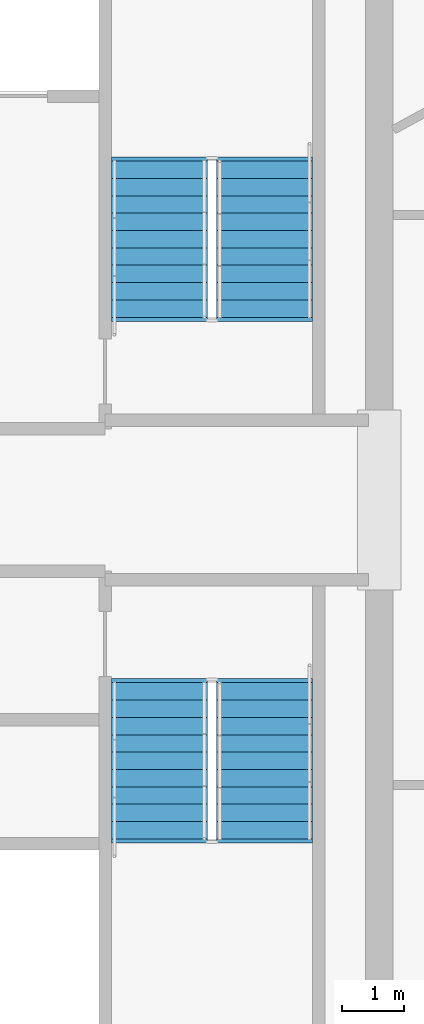
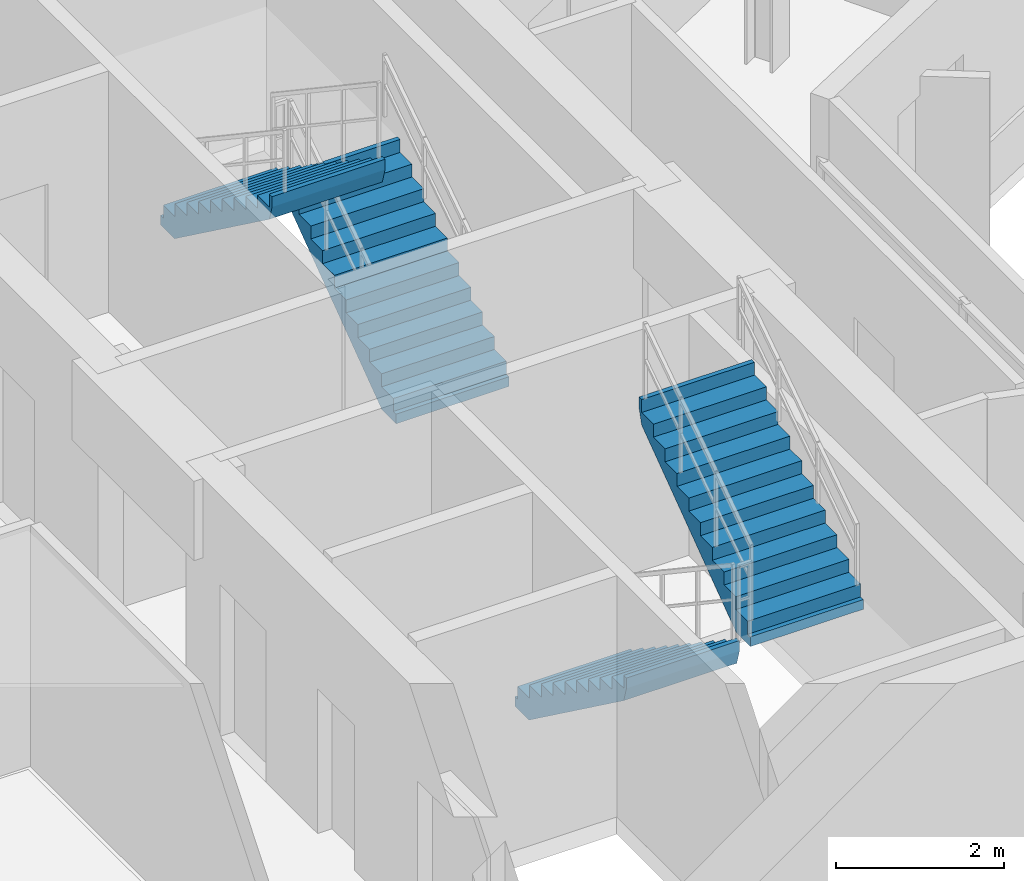
# One storey, part 9 of 13: 4 stair flights, 2 elements without a shape of their own.
"""IFC4 building model written with IfcOpenShell, lengths in metres."""

import ifcopenshell
import ifcopenshell.guid

model = None  # the IFC model being written
_history = None  # IfcOwnerHistory: only IFC2X3 demands one
_inside = {}  # id of a spatial element -> (the spatial element, [elements in it])
_under = {}  # id of a project, library or spatial element -> (it, [spatial elements below it])
_declared = {}  # id of a project -> (the project, [libraries it declares])
_typed = {}  # id of a type object -> (the type object, [elements of that type])
_made_of = {}  # id of a material, layer set ... -> (it, [elements and type objects made of it])


def new_model(schema):
    """Start an empty IFC model of exactly this schema.

    Asked for "IFC4X3", IfcOpenShell would pick the latest addendum, in which some entities
    have other attributes; the version numbers below select the first issue.
    IFC2X3 requires an IfcOwnerHistory on every rooted entity: one is made here for all.
    """
    global model, _history
    if schema == "IFC4X3":
        model = ifcopenshell.file(schema_version=(4, 3, 0, 0))
    else:
        model = ifcopenshell.file(schema=schema)
    _inside.clear()
    _under.clear()
    _declared.clear()
    _typed.clear()
    _made_of.clear()
    _history = None
    if model.schema == "IFC2X3":
        org = make("IfcOrganization", Name="unknown")
        user = make(
            "IfcPersonAndOrganization",
            ThePerson=make("IfcPerson", FamilyName="unknown"),
            TheOrganization=org,
        )
        app = make(
            "IfcApplication",
            ApplicationDeveloper=org,
            Version="unknown",
            ApplicationFullName="unknown",
            ApplicationIdentifier="unknown",
        )
        _history = make(
            "IfcOwnerHistory",
            OwningUser=user,
            OwningApplication=app,
            ChangeAction="ADDED",
            CreationDate=0,
        )
    return model


def make(cls, **values):
    """One entity of the class cls with the attributes given. An attribute that is None is left unset."""
    return model.create_entity(
        cls, **{name: value for name, value in values.items() if value is not None}
    )


def rooted(cls, **values):
    """An entity with a GlobalId (a new one), such as an element, a storey or a relation."""
    return make(cls, GlobalId=ifcopenshell.guid.new(), OwnerHistory=_history, **values)


def si_unit(unit_type, name, prefix=None):
    """IfcSIUnit, for example si_unit("LENGTHUNIT", "METRE", prefix="MILLI")."""
    return make("IfcSIUnit", UnitType=unit_type, Prefix=prefix, Name=name)


def assignment(units):
    """IfcUnitAssignment: the units of a project."""
    return None if units is None else make("IfcUnitAssignment", Units=units)


def point(xyz):
    """IfcCartesianPoint."""
    return None if xyz is None else make("IfcCartesianPoint", Coordinates=xyz)


def direction(xyz):
    """IfcDirection."""
    return None if xyz is None else make("IfcDirection", DirectionRatios=xyz)


def frame(location, z_axis=None, x_axis=None):
    """IfcAxis2Placement3D, a coordinate frame: its origin and axes. An axis left out is left unset."""
    return make(
        "IfcAxis2Placement3D",
        Location=point(location),
        Axis=direction(z_axis),
        RefDirection=direction(x_axis),
    )


def origin():
    """The frame at (0, 0, 0) with its axes left unset."""
    return frame((0.0, 0.0, 0.0))


def place(relative_to, where):
    """IfcLocalPlacement: puts the frame where relative to a parent placement (None: the world)."""
    return make(
        "IfcLocalPlacement", PlacementRelTo=relative_to, RelativePlacement=where
    )


def context(
    kind, dimensions, precision=None, world=None, true_north=None, identifier=None
):
    """IfcGeometricRepresentationContext, for example the 3D "Model" context."""
    return make(
        "IfcGeometricRepresentationContext",
        ContextIdentifier=identifier,
        ContextType=kind,
        CoordinateSpaceDimension=dimensions,
        Precision=precision,
        WorldCoordinateSystem=world,
        TrueNorth=true_north,
    )


def subcontext(parent, identifier, kind, view, scale=None):
    """IfcGeometricRepresentationSubContext, for example "Body" below "Model"."""
    return make(
        "IfcGeometricRepresentationSubContext",
        ContextIdentifier=identifier,
        ContextType=kind,
        ParentContext=parent,
        TargetScale=scale,
        TargetView=view,
    )


def project(units=None, contexts=None):
    """IfcProject with its units and contexts."""
    return rooted(
        "IfcProject",
        Name="project",
        RepresentationContexts=contexts,
        UnitsInContext=assignment(units),
    )


def spatial(cls, under=None, at=None, **own):
    """A site, building, storey or space (cls), placed at a placement, below another one or the project."""
    s = rooted(cls, ObjectPlacement=at, **own)
    if under is not None:
        _under.setdefault(under.id(), (under, []))[1].append(s)
    return s


def polyline(points):
    """IfcPolyline through the points."""
    return make("IfcPolyline", Points=[point(p) for p in points])


def outline(outer, holes=None, kind="AREA"):
    """IfcArbitraryClosedProfileDef: a profile drawn as a closed curve; with holes, ...WithVoids."""
    if holes is None:
        return make("IfcArbitraryClosedProfileDef", ProfileType=kind, OuterCurve=outer)
    return make(
        "IfcArbitraryProfileDefWithVoids",
        ProfileType=kind,
        OuterCurve=outer,
        InnerCurves=holes,
    )


def extrude(swept, where, along, depth):
    """IfcExtrudedAreaSolid: the profile swept, set in the frame where, extruded along a direction by depth."""
    return make(
        "IfcExtrudedAreaSolid",
        SweptArea=swept,
        Position=where,
        ExtrudedDirection=direction(along),
        Depth=depth,
    )


def shape(context_of_items, identifier, shape_type, items):
    """IfcShapeRepresentation: the items that make up one representation, for example the "Body"."""
    return make(
        "IfcShapeRepresentation",
        ContextOfItems=context_of_items,
        RepresentationIdentifier=identifier,
        RepresentationType=shape_type,
        Items=items,
    )


def material(Name=None, Category=None):
    """IfcMaterial."""
    return make("IfcMaterial", Name=Name, Category=Category)


def made_of(thing, what):
    """Note that an element or type object is made of a material, layer set ...; save() writes the relation."""
    if what is not None:
        _made_of.setdefault(what.id(), (what, []))[1].append(thing)
    return thing


def type_object(cls, material=None, **own):
    """A type object (cls), such as IfcWallType, which elements share."""
    return made_of(rooted(cls, **own), material)


def element(
    cls,
    number,
    at=None,
    inside=None,
    cuts=None,
    type_object=None,
    material=None,
    context=None,
    identifier="Body",
    shape_type=None,
    held_by="IfcProductDefinitionShape",
    body=None,
    shapes=None,
    **own,
):
    """One element of the class cls, such as IfcWall. Its Tag is "e" and its number.

    at: its placement. inside: the storey or other place that contains it. cuts: it is an
    opening in that element (IfcRelVoidsElement). A single representation is given by context,
    identifier, shape_type and body (its items); several are given by shapes. held_by: the class
    of the entity that holds the representations. save() writes the other relations.
    """
    e = rooted(cls, Tag="e%d" % number, ObjectPlacement=at, **own)
    if body is not None:
        shapes = [shape(context, identifier, shape_type, body)]
    if shapes is not None:
        e.Representation = make(held_by, Representations=shapes)
    if inside is not None:
        _inside.setdefault(inside.id(), (inside, []))[1].append(e)
    if cuts is not None:
        rooted(
            "IfcRelVoidsElement", RelatingBuildingElement=cuts, RelatedOpeningElement=e
        )
    if type_object is not None:
        _typed.setdefault(type_object.id(), (type_object, []))[1].append(e)
    return made_of(e, material)


def aggregate(whole, parts):
    """IfcRelAggregates: a whole, such as a stair, and the parts it consists of."""
    return rooted("IfcRelAggregates", RelatingObject=whole, RelatedObjects=parts)


def save(model, path):
    """Write the relations noted so far, then the file.

    IfcRelAggregates (storeys below a building ...), IfcRelContainedInSpatialStructure (elements
    in a storey), IfcRelDefinesByType, IfcRelAssociatesMaterial and IfcRelDeclares: one each for
    every whole, place, type object, material and project.
    """
    for whole, parts in _under.values():
        aggregate(whole, parts)
    for where, things in _inside.values():
        rooted(
            "IfcRelContainedInSpatialStructure",
            RelatedElements=things,
            RelatingStructure=where,
        )
    for kind, things in _typed.values():
        rooted("IfcRelDefinesByType", RelatedObjects=things, RelatingType=kind)
    for what, things in _made_of.values():
        rooted("IfcRelAssociatesMaterial", RelatedObjects=things, RelatingMaterial=what)
    for by, libraries in _declared.values():
        rooted("IfcRelDeclares", RelatingContext=by, RelatedDefinitions=libraries)
    model.write(path)


model = new_model("IFC4")

# Units and contexts
model_context = context("Model", 3, precision=1e-05, world=origin(), true_north=direction((0.0, 1.0)))
body_context = subcontext(model_context, "Body", "Model", "MODEL_VIEW")
ifc_project = project(units=[si_unit("LENGTHUNIT", "METRE"), si_unit("AREAUNIT", "SQUARE_METRE"), si_unit("VOLUMEUNIT", "CUBIC_METRE"), si_unit("PLANEANGLEUNIT", "RADIAN"), si_unit("MASSUNIT", "GRAM", prefix="KILO")], contexts=[model_context])

# Site, building, storey
site_placement = place(None, origin())
site = spatial("IfcSite", under=ifc_project, at=site_placement, CompositionType="ELEMENT")
building_placement = place(site_placement, origin())
building = spatial("IfcBuilding", under=site, at=building_placement, Name="Zahravan Cultural Tower", CompositionType="ELEMENT")
storey_placement = place(building_placement, frame((0.0, 0.0, 250.35009765625)))
storey = spatial("IfcBuildingStorey", under=building, at=storey_placement, Name="L59", CompositionType="ELEMENT", Elevation=250.35009765625)

# Stair, stair flights
ifc_material = material(Name="Concrete C45/55", Category="concrete")
stair_type = type_object("IfcStairType", Name="STR-DL-1550-375", PredefinedType="HALF_TURN_STAIR", material=ifc_material)
stair_1_placement = place(storey_placement, origin())
stair_1 = element("IfcStair", 1, at=stair_1_placement, inside=storey, type_object=stair_type, Name="L59 East Core North Exit Stair ST-E1", PredefinedType="HALF_TURN_STAIR")
stair_flight_type = type_object("IfcStairFlightType", Name="FLG-DL-1550-375", PredefinedType="STRAIGHT", material=ifc_material)
stair_flight_1_placement = place(storey_placement, frame((48.675048828125, 29.949951171875, 0.0), z_axis=(0.0, 0.0, 1.0), x_axis=(0.0, 1.0, 0.0)))
stair_flight_1 = element("IfcStairFlight", 2, at=stair_flight_1_placement, type_object=stair_flight_type, Name="ST-E1 flight 1", NumberOfRisers=10, NumberOfTreads=9, PredefinedType="STRAIGHT", RiserHeight=0.1875, TreadLength=0.28, context=body_context, shape_type="SweptSolid", body=[
    extrude(outline(polyline([(-0.06494140625, -0.139892578125), (-0.06494140625, 0.0), (0.0, 0.0), (0.0, 0.1875), (0.280029296875, 0.1875), (0.280029296875, 0.375), (0.56005859375, 0.375), (0.56005859375, 0.5625), (0.840087890625, 0.5625), (0.840087890625, 0.75), (1.1201171875, 0.75), (1.1201171875, 0.9375), (1.39990234375, 0.9375), (1.39990234375, 1.125), (1.679931640625, 1.125), (1.679931640625, 1.3125), (1.9599609375, 1.3125), (1.9599609375, 1.5), (2.239990234375, 1.5), (2.239990234375, 1.6875), (2.52001953125, 1.6875), (2.52001953125, 1.875), (2.5849609375, 1.875), (2.5849609375, 1.72509765625), (2.52001953125, 1.507080078125), (0.26953125, -0.139892578125), (-0.06494140625, -0.139892578125)])), frame((0.0, 0.77490234375, 0.0), z_axis=(0.0, -1.0, 0.0), x_axis=(1.0, 0.0, 0.0)), (0.0, 0.0, 1.0), 1.550048828125),
])
stair_flight_2_placement = place(storey_placement, frame((46.97509765625, 32.469970703125, 1.875), z_axis=(0.0, 0.0, 1.0), x_axis=(0.0, -1.0, 0.0)))
stair_flight_2 = element("IfcStairFlight", 3, at=stair_flight_2_placement, type_object=stair_flight_type, Name="ST-E1 flight 2", NumberOfRisers=10, NumberOfTreads=9, PredefinedType="STRAIGHT", RiserHeight=0.1875, TreadLength=0.28, context=body_context, shape_type="SweptSolid", body=[
    extrude(outline(polyline([(-0.06494140625, -0.139892578125), (-0.06494140625, 0.0), (0.0, 0.0), (0.0, 0.1875), (0.280029296875, 0.1875), (0.280029296875, 0.375), (0.56005859375, 0.375), (0.56005859375, 0.5625), (0.840087890625, 0.5625), (0.840087890625, 0.75), (1.1201171875, 0.75), (1.1201171875, 0.9375), (1.39990234375, 0.9375), (1.39990234375, 1.125), (1.679931640625, 1.125), (1.679931640625, 1.3125), (1.9599609375, 1.3125), (1.9599609375, 1.5), (2.239990234375, 1.5), (2.239990234375, 1.6875), (2.52001953125, 1.6875), (2.52001953125, 1.875), (2.5849609375, 1.875), (2.5849609375, 1.72509765625), (2.52001953125, 1.507080078125), (0.26953125, -0.139892578125), (-0.06494140625, -0.139892578125)])), frame((0.0, 0.77490234375, 0.0), z_axis=(0.0, -1.0, 0.0), x_axis=(1.0, 0.0, 0.0)), (0.0, 0.0, 1.0), 1.550048828125),
])
aggregate(stair_1, [stair_flight_1, stair_flight_2])

stair_2_placement = place(storey_placement, origin())
stair_2 = element("IfcStair", 4, at=stair_2_placement, inside=storey, type_object=stair_type, Name="L59 East Core South Exit Stair ST-E2", PredefinedType="HALF_TURN_STAIR")
stair_flight_3_placement = place(storey_placement, frame((46.97509765625, 24.050048828125, 0.0), z_axis=(0.0, 0.0, 1.0), x_axis=(0.0, -1.0, 0.0)))
stair_flight_3 = element("IfcStairFlight", 5, at=stair_flight_3_placement, type_object=stair_flight_type, Name="ST-E2 flight 1", NumberOfRisers=10, NumberOfTreads=9, PredefinedType="STRAIGHT", RiserHeight=0.1875, TreadLength=0.28, context=body_context, shape_type="SweptSolid", body=[
    extrude(outline(polyline([(-0.06494140625, -0.139892578125), (-0.06494140625, 0.0), (0.0, 0.0), (0.0, 0.1875), (0.280029296875, 0.1875), (0.280029296875, 0.375), (0.56005859375, 0.375), (0.56005859375, 0.5625), (0.840087890625, 0.5625), (0.840087890625, 0.75), (1.1201171875, 0.75), (1.1201171875, 0.9375), (1.39990234375, 0.9375), (1.39990234375, 1.125), (1.679931640625, 1.125), (1.679931640625, 1.3125), (1.9599609375, 1.3125), (1.9599609375, 1.5), (2.239990234375, 1.5), (2.239990234375, 1.6875), (2.52001953125, 1.6875), (2.52001953125, 1.875), (2.5849609375, 1.875), (2.5849609375, 1.72509765625), (2.52001953125, 1.507080078125), (0.26953125, -0.139892578125), (-0.06494140625, -0.139892578125)])), frame((0.0, 0.77490234375, 0.0), z_axis=(0.0, -1.0, 0.0), x_axis=(1.0, 0.0, 0.0)), (0.0, 0.0, 1.0), 1.550048828125),
])
stair_flight_4_placement = place(storey_placement, frame((48.675048828125, 21.530029296875, 1.875), z_axis=(0.0, 0.0, 1.0), x_axis=(0.0, 1.0, 0.0)))
stair_flight_4 = element("IfcStairFlight", 6, at=stair_flight_4_placement, type_object=stair_flight_type, Name="ST-E2 flight 2", NumberOfRisers=10, NumberOfTreads=9, PredefinedType="STRAIGHT", RiserHeight=0.1875, TreadLength=0.28, context=body_context, shape_type="SweptSolid", body=[
    extrude(outline(polyline([(-0.06494140625, -0.139892578125), (-0.06494140625, 0.0), (0.0, 0.0), (0.0, 0.1875), (0.280029296875, 0.1875), (0.280029296875, 0.375), (0.56005859375, 0.375), (0.56005859375, 0.5625), (0.840087890625, 0.5625), (0.840087890625, 0.75), (1.1201171875, 0.75), (1.1201171875, 0.9375), (1.39990234375, 0.9375), (1.39990234375, 1.125), (1.679931640625, 1.125), (1.679931640625, 1.3125), (1.9599609375, 1.3125), (1.9599609375, 1.5), (2.239990234375, 1.5), (2.239990234375, 1.6875), (2.52001953125, 1.6875), (2.52001953125, 1.875), (2.5849609375, 1.875), (2.5849609375, 1.72509765625), (2.52001953125, 1.507080078125), (0.26953125, -0.139892578125), (-0.06494140625, -0.139892578125)])), frame((0.0, 0.77490234375, 0.0), z_axis=(0.0, -1.0, 0.0), x_axis=(1.0, 0.0, 0.0)), (0.0, 0.0, 1.0), 1.550048828125),
])
aggregate(stair_2, [stair_flight_3, stair_flight_4])

save(model, "model.ifc")
